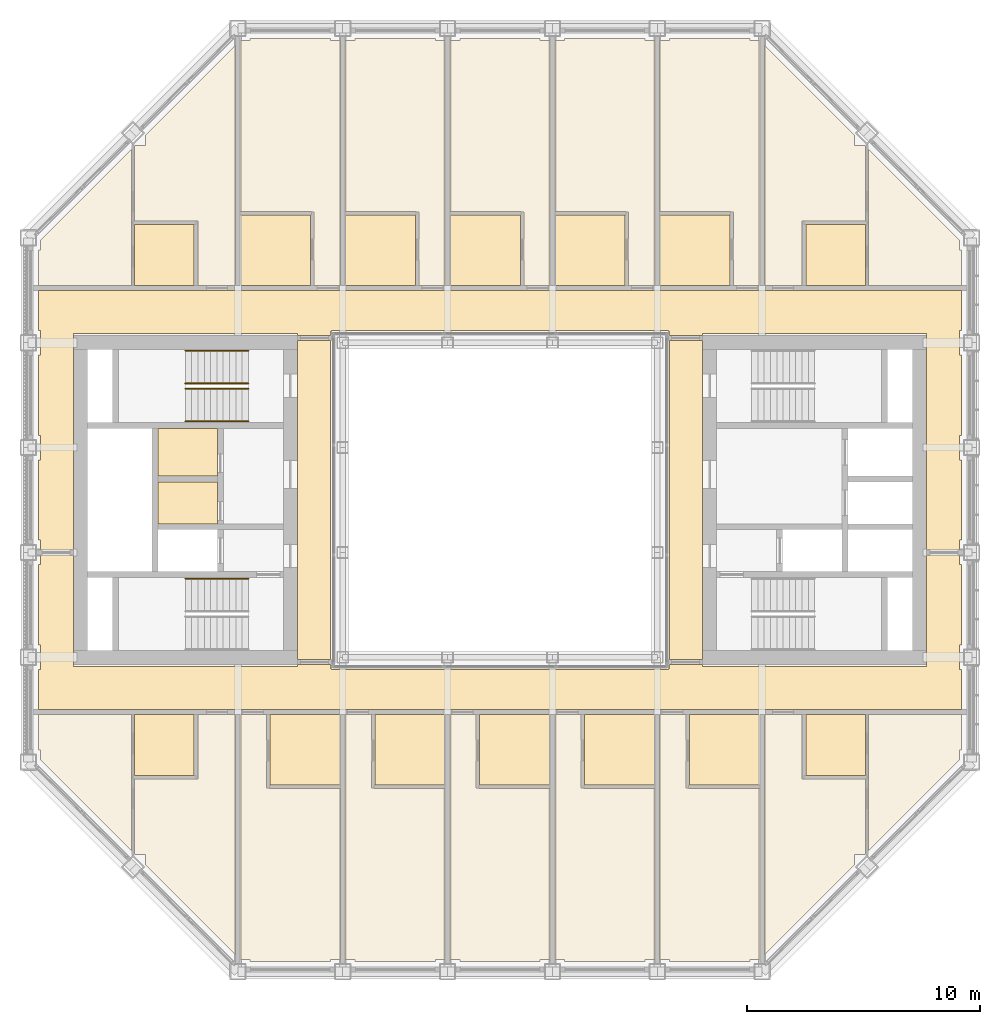
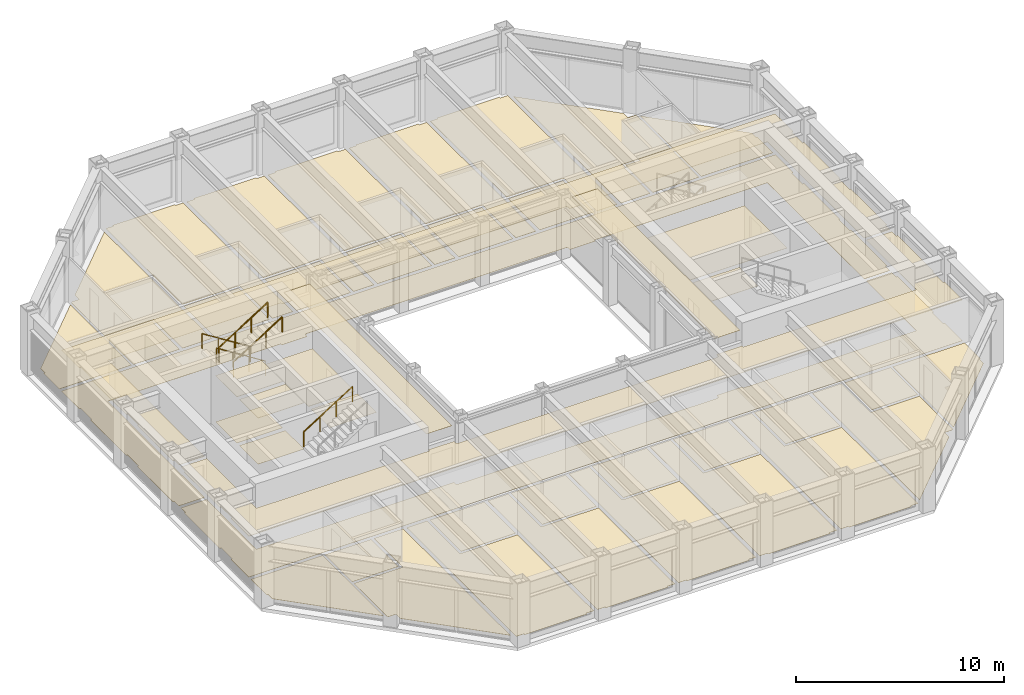
# One storey, part 16 of 18: 6 coverings, 5 railings.
"""IFC4 building model written with IfcOpenShell, lengths in metres."""

from ifc_helpers import new_model, si_unit, direction, frame, origin, origin_2d, place, context, subcontext, project, spatial, line, indexed_curve, circle, outline, extrude, material, layer, layer_set, type_object, element, save


model = new_model("IFC4")

# Units and contexts
model_context = context("Model", 3, precision=1e-05, world=origin(), true_north=direction((0.0, 1.0)))
body_context = subcontext(model_context, "Body", "Model", "MODEL_VIEW")
ifc_project = project(units=[si_unit("LENGTHUNIT", "METRE"), si_unit("AREAUNIT", "SQUARE_METRE"), si_unit("VOLUMEUNIT", "CUBIC_METRE"), si_unit("PLANEANGLEUNIT", "RADIAN"), si_unit("MASSUNIT", "GRAM", prefix="KILO")], contexts=[model_context])

# Site, building, storey
site_placement = place(None, origin())
site = spatial("IfcSite", under=ifc_project, at=site_placement, CompositionType="ELEMENT")
building_placement = place(site_placement, origin())
building = spatial("IfcBuilding", under=site, at=building_placement, Name="Msasa Ring Tower", CompositionType="ELEMENT")
storey_placement = place(building_placement, frame((0.0, 0.0, 208.300048828125)))
storey = spatial("IfcBuildingStorey", under=building, at=storey_placement, Name="L54", CompositionType="ELEMENT", Elevation=208.300048828125)

# Coverings
ifc_material_1 = material(Name="Gypsum plasterboard on a steel suspension grid", Category="steel")
ifc_layer_1 = layer(ifc_material_1, 0.014892578125)
ifc_layer_set_1 = layer_set([ifc_layer_1], Name="C1 SUSPENDED PLASTERBOARD CEILING 15")
covering_type_1 = type_object("IfcCoveringType", Name="C1 SUSPENDED PLASTERBOARD CEILING 15", PredefinedType="CEILING", material=ifc_layer_set_1)
covering_1_placement = place(storey_placement, frame((0.0, 0.0, 2.39990234375)))
element("IfcCovering", 1, at=covering_1_placement, inside=storey, type_object=covering_type_1, Name="Suspended Plasterboard Ceiling 15 circulation L54", PredefinedType="CEILING", context=body_context, shape_type="SweptSolid", body=[
    extrude(outline(indexed_curve([(-8.699462890625, -7.050537109375), (-7.280029296875, -7.050537109375), (-7.280517578125, -7.23046875), (-7.22998046875, -7.23046875), (-7.22998046875, -7.280029296875), (7.22998046875, -7.280029296875), (7.22998046875, -7.23046875), (7.280517578125, -7.23046875), (7.280029296875, -7.050537109375), (8.699462890625, -7.050537109375), (8.699462890625, -7.150390625), (18.300537109375, -7.150390625), (18.300537109375, -2.3505859375), (19.724609375, -2.3505859375), (19.724609375, -2.775390625), (19.799560546875, -2.775390625), (19.799560546875, -6.224609375), (19.724609375, -6.224609375), (19.724609375, -7.275390625), (19.799560546875, -7.275390625), (19.799560546875, -8.99951171875), (-19.799560546875, -8.99951171875), (-19.799560546875, -7.275390625), (-19.724609375, -7.275390625), (-19.724609375, -6.224609375), (-19.799560546875, -6.224609375), (-19.799560546875, -2.775390625), (-19.724609375, -2.775390625), (-19.724609375, -2.3505859375), (-18.300537109375, -2.3505859375), (-18.300537109375, -7.150390625), (-8.699462890625, -7.150390625)], segments=[line(1, 2, 3, 4, 5, 6, 7, 8, 9, 10, 11, 12, 13, 14, 15, 16, 17, 18, 19, 20, 21, 22, 23, 24, 25, 26, 27, 28, 29, 30, 31, 32, 1)], self_intersect=False)), origin(), (0.0, 0.0, 1.0), 0.01513671875),
    extrude(outline(indexed_curve([(19.799560546875, 7.275390625), (19.724609375, 7.275390625), (19.724609375, 6.224609375), (19.799560546875, 6.224609375), (19.799560546875, 2.775390625), (19.724609375, 2.775390625), (19.724609375, 1.724609375), (19.799560546875, 1.724609375), (19.799560546875, -1.724609375), (19.724609375, -1.724609375), (19.724609375, -2.1494140625), (18.300537109375, -2.1494140625), (18.300537109375, 7.150390625), (8.699462890625, 7.150390625), (8.699462890625, 7.050537109375), (7.280029296875, 7.050537109375), (7.280517578125, 7.23046875), (7.22998046875, 7.23046875), (7.22998046875, 7.280029296875), (-7.22998046875, 7.280029296875), (-7.22998046875, 7.23046875), (-7.280517578125, 7.23046875), (-7.280029296875, 7.050537109375), (-8.699462890625, 7.050537109375), (-8.699462890625, 7.150390625), (-18.300537109375, 7.150390625), (-18.300537109375, -2.1494140625), (-19.724609375, -2.1494140625), (-19.724609375, -1.724609375), (-19.799560546875, -1.724609375), (-19.799560546875, 1.724609375), (-19.724609375, 1.724609375), (-19.724609375, 2.775390625), (-19.799560546875, 2.775390625), (-19.799560546875, 6.224609375), (-19.724609375, 6.224609375), (-19.724609375, 7.275390625), (-19.799560546875, 7.275390625), (-19.799560546875, 8.99951171875), (19.799560546875, 8.99951171875)], segments=[line(1, 2, 3, 4, 5, 6, 7, 8, 9, 10, 11, 12, 13, 14, 15, 16, 17, 18, 19, 20, 21, 22, 23, 24, 25, 26, 27, 28, 29, 30, 31, 32, 33, 34, 35, 36, 37, 38, 39, 40, 1)], self_intersect=False)), origin(), (0.0, 0.0, 1.0), 0.01513671875),
    extrude(outline(indexed_curve([(-11.87451171875, -3.074462890625), (-11.87451171875, -1.275390625), (-9.300537109375, -1.275390625), (-9.300537109375, -3.074462890625)], segments=[line(1, 2, 3, 4, 1)], self_intersect=False)), origin(), (0.0, 0.0, 1.0), 0.01513671875),
    extrude(outline(indexed_curve([(-9.300537109375, -1.0244140625), (-11.87451171875, -1.0244140625), (-11.87451171875, 3.074462890625), (-9.300537109375, 3.074462890625)], segments=[line(1, 2, 3, 4, 1)], self_intersect=False)), origin(), (0.0, 0.0, 1.0), 0.01513671875),
    extrude(outline(indexed_curve([(9.300537109375, -3.074462890625), (9.300537109375, -1.275390625), (11.87451171875, -1.275390625), (11.87451171875, -3.074462890625)], segments=[line(1, 2, 3, 4, 1)], self_intersect=False)), origin(), (0.0, 0.0, 1.0), 0.01513671875),
    extrude(outline(indexed_curve([(9.300537109375, -1.0244140625), (9.300537109375, 3.074462890625), (14.674560546875, 3.074462890625), (14.674560546875, -1.0244140625)], segments=[line(1, 2, 3, 4, 1)], self_intersect=False)), origin(), (0.0, 0.0, 1.0), 0.01513671875),
])
covering_2_placement = place(storey_placement, frame((0.0, 0.0, 3.199951171875)))
element("IfcCovering", 2, at=covering_2_placement, inside=storey, type_object=covering_type_1, Name="Suspended Plasterboard Ceiling 15 public rooms L54", PredefinedType="CEILING", context=body_context, shape_type="SweptSolid", body=[
    extrude(outline(indexed_curve([(-7.280029296875, 6.849609375), (-7.280029296875, -6.849609375), (-8.699462890625, -6.849609375), (-8.699462890625, 6.849609375)], segments=[line(1, 2, 3, 4, 1)], self_intersect=False)), origin(), (0.0, 0.0, 1.0), 0.014892578125),
    extrude(outline(indexed_curve([(8.699462890625, 6.849609375), (8.699462890625, -6.849609375), (7.280029296875, -6.849609375), (7.280029296875, 6.849609375)], segments=[line(1, 2, 3, 4, 1)], self_intersect=False)), origin(), (0.0, 0.0, 1.0), 0.014892578125),
])
ifc_material_2 = material(Name="Mineral fibre ceiling tiles on an exposed steel grid", Category="steel")
ifc_layer_2 = layer(ifc_material_2, 0.02001953125)
ifc_layer_set_2 = layer_set([ifc_layer_2], Name="C3 ACOUSTIC MINERAL FIBRE TILE CEILING 20")
covering_type_2 = type_object("IfcCoveringType", Name="C3 ACOUSTIC MINERAL FIBRE TILE CEILING 20", PredefinedType="CEILING", material=ifc_layer_set_2)
covering_3_placement = place(storey_placement, frame((0.0, 0.0, 2.699951171875)))
element("IfcCovering", 3, at=covering_3_placement, inside=storey, type_object=covering_type_2, Name="Acoustic Mineral Fibre Tile Ceiling 20 L54", PredefinedType="CEILING", context=body_context, shape_type="SweptSolid", body=[
    extrude(outline(indexed_curve([(-12.12548828125, -1.0244140625), (-14.674560546875, -1.0244140625), (-14.674560546875, 0.7744140625), (-12.12548828125, 0.7744140625)], segments=[line(1, 2, 3, 4, 1)], self_intersect=False)), origin(), (0.0, 0.0, 1.0), 0.02001953125),
    extrude(outline(indexed_curve([(-12.12548828125, 3.074462890625), (-12.12548828125, 1.025390625), (-14.674560546875, 1.025390625), (-14.674560546875, 3.074462890625)], segments=[line(1, 2, 3, 4, 1)], self_intersect=False)), origin(), (0.0, 0.0, 1.0), 0.02001953125),
])
ifc_material_3 = material(Name="Wool-blend carpet on felt underlay", Category="textile")
ifc_layer_3 = layer(ifc_material_3, 0.011962890625)
ifc_layer_set_3 = layer_set([ifc_layer_3], Name="F2 CARPET ON UNDERLAY 12")
covering_type_3 = type_object("IfcCoveringType", Name="F2 CARPET ON UNDERLAY 12", PredefinedType="FLOORING", material=ifc_layer_set_3)
covering_4_placement = place(storey_placement, origin())
element("IfcCovering", 4, at=covering_4_placement, inside=storey, type_object=covering_type_3, Name="Carpet On Underlay 12 L54", PredefinedType="FLOORING", context=body_context, shape_type="SweptSolid", body=[
    extrude(outline(indexed_curve([(-19.799560546875, -9.200439453125), (-15.810546875, -9.200439453125), (-15.810546875, -15.052490234375), (-19.724609375, -11.138427734375), (-19.724609375, -10.724609375), (-19.799560546875, -10.724609375)], segments=[line(1, 2, 3, 4, 5, 6, 1)], self_intersect=False)), origin(), (0.0, 0.0, 1.0), 0.011962890625),
    extrude(outline(indexed_curve([(8.699462890625, -7.150390625), (18.300537109375, -7.150390625), (18.300537109375, -2.3505859375), (19.724609375, -2.3505859375), (19.724609375, -2.775390625), (19.799560546875, -2.775390625), (19.799560546875, -6.224609375), (19.724609375, -6.224609375), (19.724609375, -7.275390625), (19.799560546875, -7.275390625), (19.799560546875, -8.99951171875), (-19.799560546875, -8.99951171875), (-19.799560546875, -7.275390625), (-19.724609375, -7.275390625), (-19.724609375, -6.224609375), (-19.799560546875, -6.224609375), (-19.799560546875, -2.775390625), (-19.724609375, -2.775390625), (-19.724609375, -2.3505859375), (-18.300537109375, -2.3505859375), (-18.300537109375, -7.150390625), (-8.699462890625, -7.150390625), (-8.699462890625, -7.050537109375), (-7.280029296875, -7.050537109375), (-7.280517578125, -7.23046875), (-7.22998046875, -7.23046875), (-7.22998046875, -7.280029296875), (7.22998046875, -7.280029296875), (7.22998046875, -7.23046875), (7.280517578125, -7.23046875), (7.280029296875, -7.050537109375), (8.699462890625, -7.050537109375)], segments=[line(1, 2, 3, 4, 5, 6, 7, 8, 9, 10, 11, 12, 13, 14, 15, 16, 17, 18, 19, 20, 21, 22, 23, 24, 25, 26, 27, 28, 29, 30, 31, 32, 1)], self_intersect=False)), origin(), (0.0, 0.0, 1.0), 0.011962890625),
    extrude(outline(indexed_curve([(18.300537109375, -2.1494140625), (18.300537109375, 7.150390625), (8.699462890625, 7.150390625), (8.699462890625, 7.050537109375), (7.280029296875, 7.050537109375), (7.280517578125, 7.23046875), (7.22998046875, 7.23046875), (7.22998046875, 7.280029296875), (-7.22998046875, 7.280029296875), (-7.22998046875, 7.23046875), (-7.280517578125, 7.23046875), (-7.280029296875, 7.050537109375), (-8.699462890625, 7.050537109375), (-8.699462890625, 7.150390625), (-18.300537109375, 7.150390625), (-18.300537109375, -2.1494140625), (-19.724609375, -2.1494140625), (-19.724609375, -1.724609375), (-19.799560546875, -1.724609375), (-19.799560546875, 1.724609375), (-19.724609375, 1.724609375), (-19.724609375, 2.775390625), (-19.799560546875, 2.775390625), (-19.799560546875, 6.224609375), (-19.724609375, 6.224609375), (-19.724609375, 7.275390625), (-19.799560546875, 7.275390625), (-19.799560546875, 8.99951171875), (19.799560546875, 8.99951171875), (19.799560546875, 7.275390625), (19.724609375, 7.275390625), (19.724609375, 6.224609375), (19.799560546875, 6.224609375), (19.799560546875, 2.775390625), (19.724609375, 2.775390625), (19.724609375, 1.724609375), (19.799560546875, 1.724609375), (19.799560546875, -1.724609375), (19.724609375, -1.724609375), (19.724609375, -2.1494140625)], segments=[line(1, 2, 3, 4, 5, 6, 7, 8, 9, 10, 11, 12, 13, 14, 15, 16, 17, 18, 19, 20, 21, 22, 23, 24, 25, 26, 27, 28, 29, 30, 31, 32, 33, 34, 35, 36, 37, 38, 39, 40, 1)], self_intersect=False)), origin(), (0.0, 0.0, 1.0), 0.011962890625),
    extrude(outline(indexed_curve([(-19.799560546875, 10.724609375), (-19.724609375, 10.724609375), (-19.724609375, 11.138427734375), (-15.810546875, 15.052490234375), (-15.810546875, 9.200439453125), (-19.799560546875, 9.200439453125)], segments=[line(1, 2, 3, 4, 5, 6, 1)], self_intersect=False)), origin(), (0.0, 0.0, 1.0), 0.011962890625),
    extrude(outline(indexed_curve([(-15.224609375, -15.638427734375), (-15.224609375, -15.224609375), (-15.638427734375, -15.224609375), (-15.689453125, -15.17333984375), (-15.689453125, -11.98046875), (-12.969482421875, -11.98046875), (-12.969482421875, -9.200439453125), (-11.3505859375, -9.200439453125), (-11.3505859375, -19.512451171875)], segments=[line(1, 2, 3, 4, 5, 6, 7, 8, 9, 1)], self_intersect=False)), origin(), (0.0, 0.0, 1.0), 0.011962890625),
    extrude(outline(indexed_curve([(-11.3505859375, 9.200439453125), (-12.969482421875, 9.200439453125), (-12.969482421875, 11.98046875), (-15.689453125, 11.98046875), (-15.689453125, 15.17333984375), (-15.638427734375, 15.224609375), (-15.224609375, 15.224609375), (-15.224609375, 15.638427734375), (-11.3505859375, 19.512451171875)], segments=[line(1, 2, 3, 4, 5, 6, 7, 8, 9, 1)], self_intersect=False)), origin(), (0.0, 0.0, 1.0), 0.011962890625),
    extrude(outline(indexed_curve([(-11.1494140625, -19.71337890625), (-11.1494140625, -9.200439453125), (-10.025390625, -9.200439453125), (-10.025390625, -12.35009765625), (-9.89990234375, -12.3505859375), (-9.89990234375, -12.37548828125), (-6.8505859375, -12.37548828125), (-6.8505859375, -19.724609375), (-7.275390625, -19.724609375), (-7.275390625, -19.799560546875), (-10.724609375, -19.799560546875), (-10.724609375, -19.724609375), (-11.138427734375, -19.724609375)], segments=[line(1, 2, 3, 4, 5, 6, 7, 8, 9, 10, 11, 12, 13, 1)], self_intersect=False)), origin(), (0.0, 0.0, 1.0), 0.011962890625),
    extrude(outline(indexed_curve([(-7.974609375, 9.200439453125), (-7.974609375, 12.35009765625), (-8.10009765625, 12.3505859375), (-8.10009765625, 12.37548828125), (-11.1494140625, 12.37548828125), (-11.1494140625, 19.71337890625), (-11.138427734375, 19.724609375), (-10.724609375, 19.724609375), (-10.724609375, 19.799560546875), (-7.275390625, 19.799560546875), (-7.275390625, 19.724609375), (-6.8505859375, 19.724609375), (-6.8505859375, 9.200439453125)], segments=[line(1, 2, 3, 4, 5, 6, 7, 8, 9, 10, 11, 12, 13, 1)], self_intersect=False)), origin(), (0.0, 0.0, 1.0), 0.011962890625),
    extrude(outline(indexed_curve([(-5.525390625, -9.200439453125), (-5.525390625, -12.35009765625), (-5.39990234375, -12.3505859375), (-5.39990234375, -12.37548828125), (-2.3505859375, -12.37548828125), (-2.3505859375, -19.724609375), (-2.775390625, -19.724609375), (-2.775390625, -19.799560546875), (-6.224609375, -19.799560546875), (-6.224609375, -19.724609375), (-6.6494140625, -19.724609375), (-6.6494140625, -9.200439453125)], segments=[line(1, 2, 3, 4, 5, 6, 7, 8, 9, 10, 11, 12, 1)], self_intersect=False)), origin(), (0.0, 0.0, 1.0), 0.011962890625),
    extrude(outline(indexed_curve([(-3.474609375, 9.200439453125), (-3.474609375, 12.35009765625), (-3.60009765625, 12.3505859375), (-3.60009765625, 12.37548828125), (-6.6494140625, 12.37548828125), (-6.6494140625, 19.724609375), (-6.224609375, 19.724609375), (-6.224609375, 19.799560546875), (-2.775390625, 19.799560546875), (-2.775390625, 19.724609375), (-2.3505859375, 19.724609375), (-2.3505859375, 9.200439453125)], segments=[line(1, 2, 3, 4, 5, 6, 7, 8, 9, 10, 11, 12, 1)], self_intersect=False)), origin(), (0.0, 0.0, 1.0), 0.011962890625),
    extrude(outline(indexed_curve([(-2.1494140625, -9.200439453125), (-1.025390625, -9.200439453125), (-1.025390625, -12.35009765625), (-0.89990234375, -12.3505859375), (-0.89990234375, -12.37548828125), (2.1494140625, -12.37548828125), (2.1494140625, -19.724609375), (1.724609375, -19.724609375), (1.724609375, -19.799560546875), (-1.724609375, -19.799560546875), (-1.724609375, -19.724609375), (-2.1494140625, -19.724609375)], segments=[line(1, 2, 3, 4, 5, 6, 7, 8, 9, 10, 11, 12, 1)], self_intersect=False)), origin(), (0.0, 0.0, 1.0), 0.011962890625),
    extrude(outline(indexed_curve([(2.1494140625, 9.200439453125), (1.025390625, 9.200439453125), (1.025390625, 12.35009765625), (0.89990234375, 12.3505859375), (0.89990234375, 12.37548828125), (-2.1494140625, 12.37548828125), (-2.1494140625, 19.724609375), (-1.724609375, 19.724609375), (-1.724609375, 19.799560546875), (1.724609375, 19.799560546875), (1.724609375, 19.724609375), (2.1494140625, 19.724609375)], segments=[line(1, 2, 3, 4, 5, 6, 7, 8, 9, 10, 11, 12, 1)], self_intersect=False)), origin(), (0.0, 0.0, 1.0), 0.011962890625),
    extrude(outline(indexed_curve([(2.3505859375, -9.200439453125), (3.474609375, -9.200439453125), (3.474609375, -12.35009765625), (3.60009765625, -12.3505859375), (3.60009765625, -12.37548828125), (6.6494140625, -12.37548828125), (6.6494140625, -19.724609375), (6.224609375, -19.724609375), (6.224609375, -19.799560546875), (2.775390625, -19.799560546875), (2.775390625, -19.724609375), (2.3505859375, -19.724609375)], segments=[line(1, 2, 3, 4, 5, 6, 7, 8, 9, 10, 11, 12, 1)], self_intersect=False)), origin(), (0.0, 0.0, 1.0), 0.011962890625),
    extrude(outline(indexed_curve([(5.525390625, 9.200439453125), (5.525390625, 12.35009765625), (5.39990234375, 12.3505859375), (5.39990234375, 12.37548828125), (2.3505859375, 12.37548828125), (2.3505859375, 19.724609375), (2.775390625, 19.724609375), (2.775390625, 19.799560546875), (6.224609375, 19.799560546875), (6.224609375, 19.724609375), (6.6494140625, 19.724609375), (6.6494140625, 9.200439453125)], segments=[line(1, 2, 3, 4, 5, 6, 7, 8, 9, 10, 11, 12, 1)], self_intersect=False)), origin(), (0.0, 0.0, 1.0), 0.011962890625),
    extrude(outline(indexed_curve([(7.275390625, -19.799560546875), (7.275390625, -19.724609375), (6.8505859375, -19.724609375), (6.8505859375, -9.200439453125), (7.974609375, -9.200439453125), (7.974609375, -12.35009765625), (8.10009765625, -12.3505859375), (8.10009765625, -12.37548828125), (11.1494140625, -12.37548828125), (11.1494140625, -19.71337890625), (11.138427734375, -19.724609375), (10.724609375, -19.724609375), (10.724609375, -19.799560546875)], segments=[line(1, 2, 3, 4, 5, 6, 7, 8, 9, 10, 11, 12, 13, 1)], self_intersect=False)), origin(), (0.0, 0.0, 1.0), 0.011962890625),
    extrude(outline(indexed_curve([(11.1494140625, 9.200439453125), (10.025390625, 9.200439453125), (10.025390625, 12.35009765625), (9.89990234375, 12.3505859375), (9.89990234375, 12.37548828125), (6.8505859375, 12.37548828125), (6.8505859375, 19.724609375), (7.275390625, 19.724609375), (7.275390625, 19.799560546875), (10.724609375, 19.799560546875), (10.724609375, 19.724609375), (11.138427734375, 19.724609375), (11.1494140625, 19.71337890625)], segments=[line(1, 2, 3, 4, 5, 6, 7, 8, 9, 10, 11, 12, 13, 1)], self_intersect=False)), origin(), (0.0, 0.0, 1.0), 0.011962890625),
    extrude(outline(indexed_curve([(11.3505859375, -9.200439453125), (12.969482421875, -9.200439453125), (12.969482421875, -11.98046875), (15.689453125, -11.98046875), (15.689453125, -15.17333984375), (15.638427734375, -15.224609375), (15.224609375, -15.224609375), (15.224609375, -15.638427734375), (11.3505859375, -19.512451171875)], segments=[line(1, 2, 3, 4, 5, 6, 7, 8, 9, 1)], self_intersect=False)), origin(), (0.0, 0.0, 1.0), 0.011962890625),
    extrude(outline(indexed_curve([(11.3505859375, 19.512451171875), (15.224609375, 15.638427734375), (15.224609375, 15.224609375), (15.638427734375, 15.224609375), (15.689453125, 15.17333984375), (15.689453125, 11.98046875), (12.969482421875, 11.98046875), (12.969482421875, 9.200439453125), (11.3505859375, 9.200439453125)], segments=[line(1, 2, 3, 4, 5, 6, 7, 8, 9, 1)], self_intersect=False)), origin(), (0.0, 0.0, 1.0), 0.011962890625),
    extrude(outline(indexed_curve([(15.810546875, -15.052490234375), (15.810546875, -9.200439453125), (19.799560546875, -9.200439453125), (19.799560546875, -10.724609375), (19.724609375, -10.724609375), (19.724609375, -11.138427734375)], segments=[line(1, 2, 3, 4, 5, 6, 1)], self_intersect=False)), origin(), (0.0, 0.0, 1.0), 0.011962890625),
    extrude(outline(indexed_curve([(19.724609375, 11.138427734375), (19.724609375, 10.724609375), (19.799560546875, 10.724609375), (19.799560546875, 9.200439453125), (15.810546875, 9.200439453125), (15.810546875, 15.052490234375)], segments=[line(1, 2, 3, 4, 5, 6, 1)], self_intersect=False)), origin(), (0.0, 0.0, 1.0), 0.011962890625),
])
ifc_material_4 = material(Name="Porcelain floor tiles in adhesive", Category="ceramic")
ifc_layer_4 = layer(ifc_material_4, 0.010009765625)
ifc_layer_set_4 = layer_set([ifc_layer_4], Name="F4 PORCELAIN TILE ON ADHESIVE 10")
covering_type_4 = type_object("IfcCoveringType", Name="F4 PORCELAIN TILE ON ADHESIVE 10", PredefinedType="FLOORING", material=ifc_layer_set_4)
covering_5_placement = place(storey_placement, origin())
element("IfcCovering", 5, at=covering_5_placement, inside=storey, type_object=covering_type_4, Name="Porcelain Tile On Adhesive 10 L54", PredefinedType="FLOORING", context=body_context, shape_type="SweptSolid", body=[
    extrude(outline(indexed_curve([(-13.130615234375, -9.200439453125), (-13.130615234375, -11.819580078125), (-15.689453125, -11.819580078125), (-15.689453125, -9.200439453125)], segments=[line(1, 2, 3, 4, 1)], self_intersect=False)), origin(), (0.0, 0.0, 1.0), 0.010009765625),
    extrude(outline(indexed_curve([(-13.130615234375, 11.819580078125), (-13.130615234375, 9.200439453125), (-15.689453125, 9.200439453125), (-15.689453125, 11.819580078125)], segments=[line(1, 2, 3, 4, 1)], self_intersect=False)), origin(), (0.0, 0.0, 1.0), 0.010009765625),
    extrude(outline(indexed_curve([(-11.1494140625, 9.200439453125), (-11.1494140625, 12.224609375), (-8.12548828125, 12.224609375), (-8.12548828125, 9.200439453125)], segments=[line(1, 2, 3, 4, 1)], self_intersect=False)), origin(), (0.0, 0.0, 1.0), 0.010009765625),
    extrude(outline(indexed_curve([(-6.8505859375, -9.200439453125), (-6.8505859375, -12.224609375), (-9.87451171875, -12.224609375), (-9.87451171875, -9.200439453125)], segments=[line(1, 2, 3, 4, 1)], self_intersect=False)), origin(), (0.0, 0.0, 1.0), 0.010009765625),
    extrude(outline(indexed_curve([(-6.6494140625, 9.200439453125), (-6.6494140625, 12.224609375), (-3.62548828125, 12.224609375), (-3.62548828125, 9.200439453125)], segments=[line(1, 2, 3, 4, 1)], self_intersect=False)), origin(), (0.0, 0.0, 1.0), 0.010009765625),
    extrude(outline(indexed_curve([(-2.3505859375, -9.200439453125), (-2.3505859375, -12.224609375), (-5.37451171875, -12.224609375), (-5.37451171875, -9.200439453125)], segments=[line(1, 2, 3, 4, 1)], self_intersect=False)), origin(), (0.0, 0.0, 1.0), 0.010009765625),
    extrude(outline(indexed_curve([(-2.1494140625, 9.200439453125), (-2.1494140625, 12.224609375), (0.87451171875, 12.224609375), (0.87451171875, 9.200439453125)], segments=[line(1, 2, 3, 4, 1)], self_intersect=False)), origin(), (0.0, 0.0, 1.0), 0.010009765625),
    extrude(outline(indexed_curve([(2.1494140625, -9.200439453125), (2.1494140625, -12.224609375), (-0.87451171875, -12.224609375), (-0.87451171875, -9.200439453125)], segments=[line(1, 2, 3, 4, 1)], self_intersect=False)), origin(), (0.0, 0.0, 1.0), 0.010009765625),
    extrude(outline(indexed_curve([(2.3505859375, 9.200439453125), (2.3505859375, 12.224609375), (5.37451171875, 12.224609375), (5.37451171875, 9.200439453125)], segments=[line(1, 2, 3, 4, 1)], self_intersect=False)), origin(), (0.0, 0.0, 1.0), 0.010009765625),
    extrude(outline(indexed_curve([(6.6494140625, -9.200439453125), (6.6494140625, -12.224609375), (3.62548828125, -12.224609375), (3.62548828125, -9.200439453125)], segments=[line(1, 2, 3, 4, 1)], self_intersect=False)), origin(), (0.0, 0.0, 1.0), 0.010009765625),
    extrude(outline(indexed_curve([(6.8505859375, 9.200439453125), (6.8505859375, 12.224609375), (9.87451171875, 12.224609375), (9.87451171875, 9.200439453125)], segments=[line(1, 2, 3, 4, 1)], self_intersect=False)), origin(), (0.0, 0.0, 1.0), 0.010009765625),
    extrude(outline(indexed_curve([(11.1494140625, -9.200439453125), (11.1494140625, -12.224609375), (8.12548828125, -12.224609375), (8.12548828125, -9.200439453125)], segments=[line(1, 2, 3, 4, 1)], self_intersect=False)), origin(), (0.0, 0.0, 1.0), 0.010009765625),
    extrude(outline(indexed_curve([(15.689453125, -9.200439453125), (15.689453125, -11.819580078125), (13.130615234375, -11.819580078125), (13.130615234375, -9.200439453125)], segments=[line(1, 2, 3, 4, 1)], self_intersect=False)), origin(), (0.0, 0.0, 1.0), 0.010009765625),
    extrude(outline(indexed_curve([(15.689453125, 11.819580078125), (15.689453125, 9.200439453125), (13.130615234375, 9.200439453125), (13.130615234375, 11.819580078125)], segments=[line(1, 2, 3, 4, 1)], self_intersect=False)), origin(), (0.0, 0.0, 1.0), 0.010009765625),
])
ifc_material_5 = material(Name="Welded vinyl safety sheet flooring", Category="vinyl")
ifc_layer_5 = layer(ifc_material_5, 0.0029296875)
ifc_layer_set_5 = layer_set([ifc_layer_5], Name="F5 RESILIENT SHEET FLOORING 3")
covering_type_5 = type_object("IfcCoveringType", Name="F5 RESILIENT SHEET FLOORING 3", PredefinedType="FLOORING", material=ifc_layer_set_5)
covering_6_placement = place(storey_placement, origin())
element("IfcCovering", 6, at=covering_6_placement, inside=storey, type_object=covering_type_5, Name="Resilient Sheet Flooring 3 L54", PredefinedType="FLOORING", context=body_context, shape_type="SweptSolid", body=[
    extrude(outline(indexed_curve([(-12.12548828125, -1.0244140625), (-14.674560546875, -1.0244140625), (-14.674560546875, 0.7744140625), (-12.12548828125, 0.7744140625)], segments=[line(1, 2, 3, 4, 1)], self_intersect=False)), origin(), (0.0, 0.0, 1.0), 0.0029296875),
    extrude(outline(indexed_curve([(-12.12548828125, 1.025390625), (-14.674560546875, 1.025390625), (-14.674560546875, 3.074462890625), (-12.12548828125, 3.074462890625)], segments=[line(1, 2, 3, 4, 1)], self_intersect=False)), origin(), (0.0, 0.0, 1.0), 0.0029296875),
])

# Railings
ifc_material_6 = material(Name="Stainless steel", Category="steel")
railing_type = type_object("IfcRailingType", Name="HR1 HANDRAIL 900", PredefinedType="HANDRAIL", material=ifc_material_6)
railing_placement = place(storey_placement, frame((-13.5, -3.375, 2.04541015625)))
element("IfcRailing", 7, at=railing_placement, inside=storey, type_object=railing_type, Name="Handrail stair SWA L54 4", PredefinedType="HANDRAIL", context=body_context, shape_type="SweptSolid", body=[
    extrude(circle(Radius=0.02392578125, at=origin_2d()), frame((0.0, 0.0, 0.8759765625), z_axis=(0.845579735284, 0.0, 0.533849146555), x_axis=(0.0, 1.0, 0.0)), (0.0, 0.0, 1.0), 3.193115234375),
    extrude(circle(Radius=0.02099609375, at=origin_2d()), origin(), (0.0, 0.0, 1.0), 0.851806640625),
    extrude(circle(Radius=0.02099609375, at=origin_2d()), frame((0.89990234375, 0.0, 0.568115234375)), (0.0, 0.0, 1.0), 0.851806640625),
    extrude(circle(Radius=0.02099609375, at=origin_2d()), frame((1.800048828125, 0.0, 1.136474609375)), (0.0, 0.0, 1.0), 0.851806640625),
    extrude(circle(Radius=0.02099609375, at=origin_2d()), frame((2.699951171875, 0.0, 1.70458984375)), (0.0, 0.0, 1.0), 0.851806640625),
])
for number, where, name in (
    (8, (-10.800048828125, 5.0, 0.17041015625), "Handrail stair SWB L54 1"),
    (9, (-10.800048828125, 6.39990234375, 0.17041015625), "Handrail stair SWB L54 2"),
):
    element("IfcRailing", number, at=place(storey_placement, frame(where)), inside=storey, type_object=railing_type, Name=name, PredefinedType="HANDRAIL", context=body_context, shape_type="SweptSolid", body=[
        extrude(circle(Radius=0.02392578125, at=origin_2d()), frame((0.0, 0.0, 0.8759765625), z_axis=(-0.845579735284, 0.0, 0.533849146555), x_axis=(0.0, -1.0, 0.0)), (0.0, 0.0, 1.0), 3.193115234375),
        extrude(circle(Radius=0.02099609375, at=origin_2d()), origin(), (0.0, 0.0, 1.0), 0.851806640625),
        extrude(circle(Radius=0.02099609375, at=origin_2d()), frame((-0.89990234375, 0.0, 0.568115234375)), (0.0, 0.0, 1.0), 0.851806640625),
        extrude(circle(Radius=0.02099609375, at=origin_2d()), frame((-1.800048828125, 0.0, 1.136474609375)), (0.0, 0.0, 1.0), 0.851806640625),
        extrude(circle(Radius=0.02099609375, at=origin_2d()), frame((-2.699951171875, 0.0, 1.70458984375)), (0.0, 0.0, 1.0), 0.851806640625),
    ])
for number, where, name in (
    (10, (-13.5, 3.375, 2.04541015625), "Handrail stair SWB L54 3"),
    (11, (-13.5, 4.77490234375, 2.04541015625), "Handrail stair SWB L54 4"),
):
    element("IfcRailing", number, at=place(storey_placement, frame(where)), inside=storey, type_object=railing_type, Name=name, PredefinedType="HANDRAIL", context=body_context, shape_type="SweptSolid", body=[
        extrude(circle(Radius=0.02392578125, at=origin_2d()), frame((0.0, 0.0, 0.8759765625), z_axis=(0.845579735284, 0.0, 0.533849146555), x_axis=(0.0, 1.0, 0.0)), (0.0, 0.0, 1.0), 3.193115234375),
        extrude(circle(Radius=0.02099609375, at=origin_2d()), origin(), (0.0, 0.0, 1.0), 0.851806640625),
        extrude(circle(Radius=0.02099609375, at=origin_2d()), frame((0.89990234375, 0.0, 0.568115234375)), (0.0, 0.0, 1.0), 0.851806640625),
        extrude(circle(Radius=0.02099609375, at=origin_2d()), frame((1.800048828125, 0.0, 1.136474609375)), (0.0, 0.0, 1.0), 0.851806640625),
        extrude(circle(Radius=0.02099609375, at=origin_2d()), frame((2.699951171875, 0.0, 1.70458984375)), (0.0, 0.0, 1.0), 0.851806640625),
    ])

save(model, "model.ifc")
